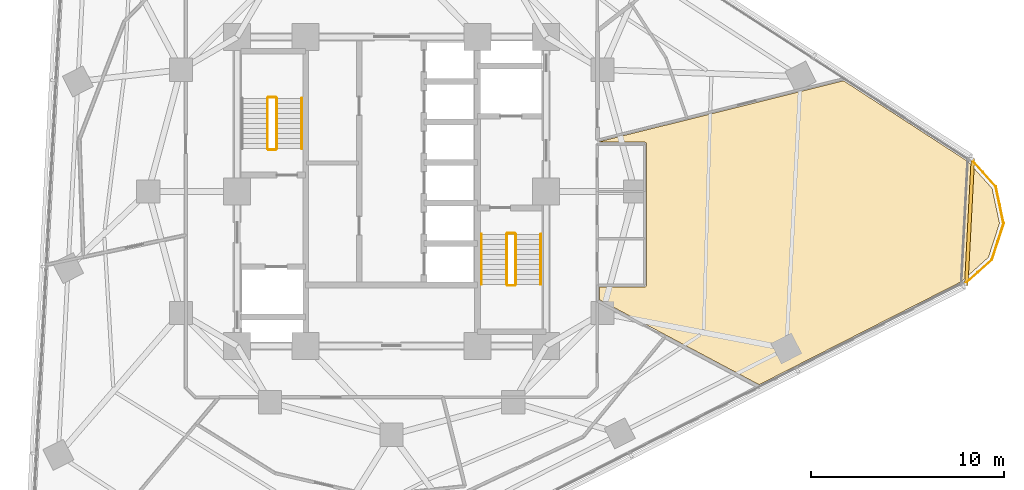
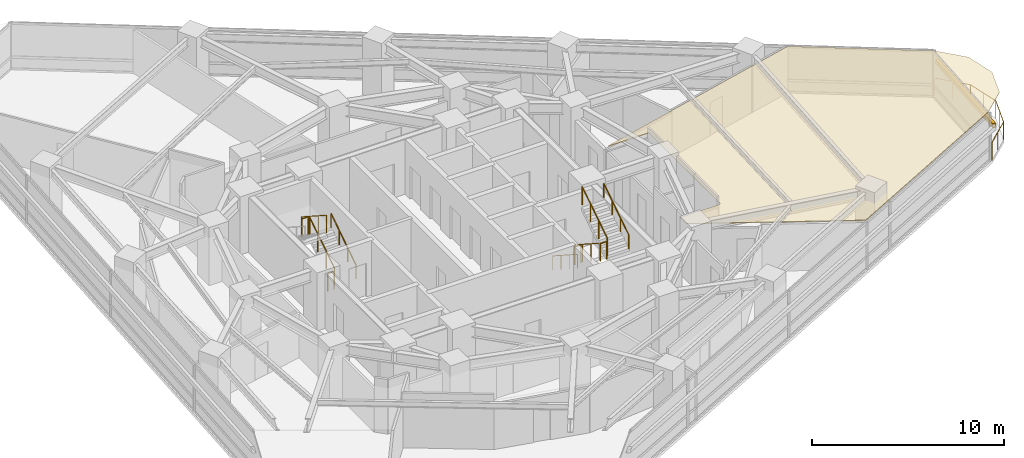
# One storey, part 13 of 14: 12 railings, 1 covering, 1 shading device.
"""IFC4 building model written with IfcOpenShell, lengths in metres."""

from ifc_helpers import new_model, si_unit, direction, frame, origin, origin_2d, place, context, subcontext, project, spatial, polyline, rectangle, circle, outline, extrude, material, layer, layer_set, type_object, element, save


model = new_model("IFC4")

# Units and contexts
model_context = context("Model", 3, precision=1e-05, world=origin(), true_north=direction((0.0, 1.0)))
body_context = subcontext(model_context, "Body", "Model", "MODEL_VIEW")
ifc_project = project(units=[si_unit("LENGTHUNIT", "METRE"), si_unit("AREAUNIT", "SQUARE_METRE"), si_unit("VOLUMEUNIT", "CUBIC_METRE"), si_unit("PLANEANGLEUNIT", "RADIAN"), si_unit("MASSUNIT", "GRAM", prefix="KILO")], contexts=[model_context])

# Site, building, storey
site_placement = place(None, origin())
site = spatial("IfcSite", under=ifc_project, at=site_placement, CompositionType="ELEMENT")
building_placement = place(site_placement, origin())
building = spatial("IfcBuilding", under=site, at=building_placement, Name="Terralouvre Media Tower", CompositionType="ELEMENT")
storey_placement = place(building_placement, frame((0.0, 0.0, 123.60009765625)))
storey = spatial("IfcBuildingStorey", under=building, at=storey_placement, Name="L31", CompositionType="ELEMENT", Elevation=123.60009765625)

# Covering
ifc_material_1 = material(Name="Perforated aluminium acoustic ceiling baffle", Category="aluminium")
ifc_layer_1 = layer(ifc_material_1, 0.0400390625, Name="Perforated Acoustic Metal Tile Ceiling CL-AC1")
ifc_layer_set_1 = layer_set([ifc_layer_1], Name="Perforated aluminium acoustic ceiling baffle")
covering_type = type_object("IfcCoveringType", Name="Perforated Acoustic Metal Tile Ceiling CL-AC1", PredefinedType="CEILING", material=ifc_layer_set_1)
covering_placement = place(storey_placement, frame((0.0, 0.0, 2.97998046875), z_axis=(0.0, 0.0, 1.0), x_axis=(0.891006524188, 0.45399049974, 0.0)))
element("IfcCovering", 1, at=covering_placement, inside=storey, type_object=covering_type, Name="L31 Event Planning Conference Room 6 Acoustic Ceiling", PredefinedType="CEILING", context=body_context, shape_type="SweptSolid", body=[
    extrude(outline(polyline([(10.748291015625, -2.58447265625), (10.736083984375, -2.6083984375), (12.829833984375, -3.67529296875), (12.83837890625, -3.68017578125), (12.846435546875, -3.685791015625), (12.853759765625, -3.692138671875), (12.860595703125, -3.699462890625), (12.866455078125, -3.70703125), (12.871826171875, -3.715576171875), (12.8759765625, -3.72412109375), (12.879638671875, -3.7333984375), (12.882080078125, -3.742919921875), (12.8837890625, -3.75244140625), (12.884521484375, -3.762451171875), (12.88427734375, -3.772216796875), (12.8828125, -3.781982421875), (12.880615234375, -3.79150390625), (12.877685546875, -3.80078125), (12.87353515625, -3.809814453125), (9.559326171875, -10.31396484375), (9.554443359375, -10.322509765625), (9.548828125, -10.33056640625), (9.54248046875, -10.337890625), (9.53515625, -10.3447265625), (9.527587890625, -10.3505859375), (9.51904296875, -10.35595703125), (9.510498046875, -10.3603515625), (9.501220703125, -10.36376953125), (9.49169921875, -10.3662109375), (9.482177734375, -10.367919921875), (9.47216796875, -10.36865234375), (9.46240234375, -10.368408203125), (9.45263671875, -10.3671875), (9.443115234375, -10.364990234375), (9.433837890625, -10.36181640625), (9.425048828125, -10.357666015625), (7.3310546875, -9.290771484375), (7.03466796875, -9.87255859375), (9.265380859375, -13.058349609375), (12.412109375, -17.552490234375), (24.1708984375, -17.55224609375), (25.986083984375, -17.06494140625), (27.29345703125, -15.758056640625), (27.7724609375, -13.972412109375), (27.28515625, -12.156982421875), (23.452392578125, -5.51708984375), (15.330810546875, -3.641845703125), (10.748291015625, -2.58447265625)])), origin(), (0.0, 0.0, 1.0), 0.0400390625),
])

# Railings
ifc_material_2 = material(Name="Stainless steel 316 handrail and balustrade", Category="steel")
ifc_layer_2 = layer(ifc_material_2, 0.06005859375, Name="Roof Edge Safety Guardrail GR-ROOF1")
ifc_layer_set_2 = layer_set([ifc_layer_2], Name="Stainless steel 316 handrail and balustrade")
railing_type_1 = type_object("IfcRailingType", Name="Roof Edge Safety Guardrail GR-ROOF1", PredefinedType="GUARDRAIL", material=ifc_layer_set_2)
railing_1_placement = place(storey_placement, frame((29.61572265625, -4.845947265625, 0.0)))
element("IfcRailing", 2, at=railing_1_placement, inside=storey, type_object=railing_type_1, Name="L31 Wind-Corner Perimeter Safety Guardrail C1", PredefinedType="GUARDRAIL", context=body_context, shape_type="SweptSolid", body=[
    extrude(circle(Radius=0.02099609375, at=origin_2d()), frame((0.0, 0.0, 1.12890625), z_axis=(0.743312666239, 0.668944153281, 0.0), x_axis=(-0.668944153281, 0.743312666239, 0.0)), (0.0, 0.0, 1.0), 1.96630859375),
    extrude(circle(Radius=0.02099609375, at=origin_2d()), frame((1.461669921875, 1.3154296875, 1.12890625), z_axis=(0.309178723202, 0.95100395221, 0.0), x_axis=(-0.95100395221, 0.309178723202, 0.0)), (0.0, 0.0, 1.0), 1.96630859375),
    extrude(circle(Radius=0.02099609375, at=origin_2d()), frame((2.069580078125, 3.185302734375, 1.12890625), z_axis=(-0.207968640809, 0.978135493907, 0.0), x_axis=(-0.978135493907, -0.207968640809, 0.0)), (0.0, 0.0, 1.0), 1.96630859375),
    extrude(circle(Radius=0.02099609375, at=origin_2d()), frame((1.66064453125, 5.108642578125, 1.12890625), z_axis=(-0.669335064293, 0.742960679786, 0.0), x_axis=(-0.742960679786, -0.669335064293, 0.0)), (0.0, 0.0, 1.0), 1.96630859375),
    extrude(circle(Radius=0.01904296875, at=origin_2d()), origin(), (0.0, 0.0, 1.0), 1.10791015625),
    extrude(circle(Radius=0.01904296875, at=origin_2d()), frame((0.73095703125, 0.65771484375, 0.0)), (0.0, 0.0, 1.0), 1.10791015625),
    extrude(circle(Radius=0.01904296875, at=origin_2d()), frame((1.461669921875, 1.3154296875, 0.0)), (0.0, 0.0, 1.0), 1.10791015625),
    extrude(circle(Radius=0.01904296875, at=origin_2d()), frame((1.765625, 2.25048828125, 0.0)), (0.0, 0.0, 1.0), 1.10791015625),
    extrude(circle(Radius=0.01904296875, at=origin_2d()), frame((2.069580078125, 3.185302734375, 0.0)), (0.0, 0.0, 1.0), 1.10791015625),
    extrude(circle(Radius=0.01904296875, at=origin_2d()), frame((1.865234375, 4.14697265625, 0.0)), (0.0, 0.0, 1.0), 1.10791015625),
    extrude(circle(Radius=0.01904296875, at=origin_2d()), frame((1.66064453125, 5.108642578125, 0.0)), (0.0, 0.0, 1.0), 1.10791015625),
    extrude(circle(Radius=0.01904296875, at=origin_2d()), frame((1.00244140625, 5.839111328125, 0.0)), (0.0, 0.0, 1.0), 1.10791015625),
    extrude(circle(Radius=0.01904296875, at=origin_2d()), frame((0.344482421875, 6.569580078125, 0.0)), (0.0, 0.0, 1.0), 1.10791015625),
])
ifc_material_3 = material(Name="Stainless steel 316 handrail and balustrade", Category="steel")
ifc_layer_3 = layer(ifc_material_3, 0.050048828125, Name="Stair Flight Wall Handrail HR-INT1")
ifc_layer_set_3 = layer_set([ifc_layer_3], Name="Stainless steel 316 handrail and balustrade")
railing_type_2 = type_object("IfcRailingType", Name="Stair Flight Wall Handrail HR-INT1", PredefinedType="HANDRAIL", material=ifc_layer_set_3)
railing_2_placement = place(storey_placement, frame((-4.64990234375, 2.219970703125, 0.16796875)))
element("IfcRailing", 3, at=railing_2_placement, inside=storey, type_object=railing_type_2, Name="L31 ST-01 stair handrail 1", PredefinedType="HANDRAIL", context=body_context, shape_type="SweptSolid", body=[
    extrude(circle(Radius=0.02392578125, at=origin_2d()), frame((0.0, 0.0, 0.8759765625), z_axis=(0.0, 0.839648411786, 0.543130320075), x_axis=(-1.0, 0.0, 0.0)), (0.0, 0.0, 1.0), 3.0966796875),
    extrude(circle(Radius=0.02099609375, at=origin_2d()), origin(), (0.0, 0.0, 1.0), 0.851806640625),
    extrude(circle(Radius=0.02099609375, at=origin_2d()), frame((0.0, 0.86669921875, 0.560546875)), (0.0, 0.0, 1.0), 0.851806640625),
    extrude(circle(Radius=0.02099609375, at=origin_2d()), frame((0.0, 1.7333984375, 1.121337890625)), (0.0, 0.0, 1.0), 0.851806640625),
    extrude(circle(Radius=0.02099609375, at=origin_2d()), frame((0.0, 2.60009765625, 1.681884765625)), (0.0, 0.0, 1.0), 0.851806640625),
])
railing_3_placement = place(storey_placement, frame((4.64990234375, -2.219970703125, 0.16796875)))
element("IfcRailing", 4, at=railing_3_placement, inside=storey, type_object=railing_type_2, Name="L31 ST-02 stair handrail 1", PredefinedType="HANDRAIL", context=body_context, shape_type="SweptSolid", body=[
    extrude(circle(Radius=0.02392578125, at=origin_2d()), frame((0.0, 0.0, 0.8759765625), z_axis=(0.0, -0.839648411786, 0.543130320075), x_axis=(1.0, 0.0, 0.0)), (0.0, 0.0, 1.0), 3.0966796875),
    extrude(circle(Radius=0.02099609375, at=origin_2d()), origin(), (0.0, 0.0, 1.0), 0.851806640625),
    extrude(circle(Radius=0.02099609375, at=origin_2d()), frame((0.0, -0.86669921875, 0.560546875)), (0.0, 0.0, 1.0), 0.851806640625),
    extrude(circle(Radius=0.02099609375, at=origin_2d()), frame((0.0, -1.7333984375, 1.121337890625)), (0.0, 0.0, 1.0), 0.851806640625),
    extrude(circle(Radius=0.02099609375, at=origin_2d()), frame((0.0, -2.60009765625, 1.681884765625)), (0.0, 0.0, 1.0), 0.851806640625),
])
railing_4_placement = place(storey_placement, frame((7.72998046875, -4.820068359375, 2.01806640625)))
element("IfcRailing", 5, at=railing_4_placement, inside=storey, type_object=railing_type_2, Name="L31 ST-02 stair handrail 2", PredefinedType="HANDRAIL", context=body_context, shape_type="SweptSolid", body=[
    extrude(circle(Radius=0.02392578125, at=origin_2d()), frame((0.0, 0.0, 0.8759765625), z_axis=(0.0, 0.839648411786, 0.543130320075), x_axis=(-1.0, 0.0, 0.0)), (0.0, 0.0, 1.0), 3.0966796875),
    extrude(circle(Radius=0.02099609375, at=origin_2d()), origin(), (0.0, 0.0, 1.0), 0.851806640625),
    extrude(circle(Radius=0.02099609375, at=origin_2d()), frame((0.0, 0.86669921875, 0.560546875)), (0.0, 0.0, 1.0), 0.851806640625),
    extrude(circle(Radius=0.02099609375, at=origin_2d()), frame((0.0, 1.7333984375, 1.121337890625)), (0.0, 0.0, 1.0), 0.851806640625),
    extrude(circle(Radius=0.02099609375, at=origin_2d()), frame((0.0, 2.60009765625, 1.681884765625)), (0.0, 0.0, 1.0), 0.851806640625),
])
ifc_material_4 = material(Name="Stainless steel 316 handrail and balustrade", Category="steel")
ifc_layer_4 = layer(ifc_material_4, 0.050048828125, Name="Stairwell Safety Guardrail GR-INT1")
ifc_layer_set_4 = layer_set([ifc_layer_4], Name="Stainless steel 316 handrail and balustrade")
railing_type_3 = type_object("IfcRailingType", Name="Stairwell Safety Guardrail GR-INT1", PredefinedType="GUARDRAIL", material=ifc_layer_set_4)
railing_5_placement = place(storey_placement, frame((-5.949951171875, 2.219970703125, 0.16796875)))
element("IfcRailing", 6, at=railing_5_placement, inside=storey, type_object=railing_type_3, Name="L31 ST-01 stair guard 1", PredefinedType="GUARDRAIL", context=body_context, shape_type="SweptSolid", body=[
    extrude(circle(Radius=0.02392578125, at=origin_2d()), frame((0.0, 0.0, 1.1259765625), z_axis=(0.0, 0.839648411786, 0.543130320075), x_axis=(-1.0, 0.0, 0.0)), (0.0, 0.0, 1.0), 3.0966796875),
    extrude(circle(Radius=0.02099609375, at=origin_2d()), origin(), (0.0, 0.0, 1.0), 1.101806640625),
    extrude(circle(Radius=0.02099609375, at=origin_2d()), frame((0.0, 0.86669921875, 0.560546875)), (0.0, 0.0, 1.0), 1.101806640625),
    extrude(circle(Radius=0.02099609375, at=origin_2d()), frame((0.0, 1.7333984375, 1.121337890625)), (0.0, 0.0, 1.0), 1.101806640625),
    extrude(circle(Radius=0.02099609375, at=origin_2d()), frame((0.0, 2.60009765625, 1.681884765625)), (0.0, 0.0, 1.0), 1.101806640625),
])
railing_6_placement = place(storey_placement, frame((-6.0, 4.8701171875, 1.849853515625)))
element("IfcRailing", 7, at=railing_6_placement, inside=storey, type_object=railing_type_3, Name="L31 ST-01 stair guard 2", PredefinedType="GUARDRAIL", context=body_context, shape_type="SweptSolid", body=[
    extrude(circle(Radius=0.02392578125, at=origin_2d()), frame((0.0, 0.0, 1.1259765625), z_axis=(-1.0, 0.0, 0.0), x_axis=(0.0, -1.0, 0.0)), (0.0, 0.0, 1.0), 0.3798828125),
    extrude(circle(Radius=0.02099609375, at=origin_2d()), origin(), (0.0, 0.0, 1.0), 1.101806640625),
    extrude(circle(Radius=0.02099609375, at=origin_2d()), frame((-0.3798828125, 0.0, 0.0)), (0.0, 0.0, 1.0), 1.101806640625),
])
railing_7_placement = place(storey_placement, frame((-6.429931640625, 4.820068359375, 2.01806640625)))
element("IfcRailing", 8, at=railing_7_placement, inside=storey, type_object=railing_type_3, Name="L31 ST-01 stair guard 3", PredefinedType="GUARDRAIL", context=body_context, shape_type="SweptSolid", body=[
    extrude(circle(Radius=0.02392578125, at=origin_2d()), frame((0.0, 0.0, 1.1259765625), z_axis=(0.0, -0.839648411786, 0.543130320075), x_axis=(1.0, 0.0, 0.0)), (0.0, 0.0, 1.0), 3.0966796875),
    extrude(circle(Radius=0.02099609375, at=origin_2d()), origin(), (0.0, 0.0, 1.0), 1.101806640625),
    extrude(circle(Radius=0.02099609375, at=origin_2d()), frame((0.0, -0.86669921875, 0.560546875)), (0.0, 0.0, 1.0), 1.101806640625),
    extrude(circle(Radius=0.02099609375, at=origin_2d()), frame((0.0, -1.7333984375, 1.121337890625)), (0.0, 0.0, 1.0), 1.101806640625),
    extrude(circle(Radius=0.02099609375, at=origin_2d()), frame((0.0, -2.60009765625, 1.681884765625)), (0.0, 0.0, 1.0), 1.101806640625),
])
railing_8_placement = place(storey_placement, frame((-6.0, 2.169921875, 0.0)))
element("IfcRailing", 9, at=railing_8_placement, inside=storey, type_object=railing_type_3, Name="L31 ST-01 stair guard 4", PredefinedType="GUARDRAIL", context=body_context, shape_type="SweptSolid", body=[
    extrude(circle(Radius=0.02392578125, at=origin_2d()), frame((0.0, 0.0, 1.1259765625), z_axis=(-1.0, 0.0, 0.0), x_axis=(0.0, -1.0, 0.0)), (0.0, 0.0, 1.0), 0.3798828125),
    extrude(circle(Radius=0.02099609375, at=origin_2d()), origin(), (0.0, 0.0, 1.0), 1.101806640625),
    extrude(circle(Radius=0.02099609375, at=origin_2d()), frame((-0.3798828125, 0.0, 0.0)), (0.0, 0.0, 1.0), 1.101806640625),
])
railing_9_placement = place(storey_placement, frame((5.949951171875, -2.219970703125, 0.16796875)))
element("IfcRailing", 10, at=railing_9_placement, inside=storey, type_object=railing_type_3, Name="L31 ST-02 stair guard 1", PredefinedType="GUARDRAIL", context=body_context, shape_type="SweptSolid", body=[
    extrude(circle(Radius=0.02392578125, at=origin_2d()), frame((0.0, 0.0, 1.1259765625), z_axis=(0.0, -0.839648411786, 0.543130320075), x_axis=(1.0, 0.0, 0.0)), (0.0, 0.0, 1.0), 3.0966796875),
    extrude(circle(Radius=0.02099609375, at=origin_2d()), origin(), (0.0, 0.0, 1.0), 1.101806640625),
    extrude(circle(Radius=0.02099609375, at=origin_2d()), frame((0.0, -0.86669921875, 0.560546875)), (0.0, 0.0, 1.0), 1.101806640625),
    extrude(circle(Radius=0.02099609375, at=origin_2d()), frame((0.0, -1.7333984375, 1.121337890625)), (0.0, 0.0, 1.0), 1.101806640625),
    extrude(circle(Radius=0.02099609375, at=origin_2d()), frame((0.0, -2.60009765625, 1.681884765625)), (0.0, 0.0, 1.0), 1.101806640625),
])
railing_10_placement = place(storey_placement, frame((6.0, -4.8701171875, 1.849853515625)))
element("IfcRailing", 11, at=railing_10_placement, inside=storey, type_object=railing_type_3, Name="L31 ST-02 stair guard 2", PredefinedType="GUARDRAIL", context=body_context, shape_type="SweptSolid", body=[
    extrude(circle(Radius=0.02392578125, at=origin_2d()), frame((0.0, 0.0, 1.1259765625), z_axis=(1.0, 0.0, 0.0), x_axis=(0.0, 1.0, 0.0)), (0.0, 0.0, 1.0), 0.3798828125),
    extrude(circle(Radius=0.02099609375, at=origin_2d()), origin(), (0.0, 0.0, 1.0), 1.101806640625),
    extrude(circle(Radius=0.02099609375, at=origin_2d()), frame((0.3798828125, 0.0, 0.0)), (0.0, 0.0, 1.0), 1.101806640625),
])
railing_11_placement = place(storey_placement, frame((6.429931640625, -4.820068359375, 2.01806640625)))
element("IfcRailing", 12, at=railing_11_placement, inside=storey, type_object=railing_type_3, Name="L31 ST-02 stair guard 3", PredefinedType="GUARDRAIL", context=body_context, shape_type="SweptSolid", body=[
    extrude(circle(Radius=0.02392578125, at=origin_2d()), frame((0.0, 0.0, 1.1259765625), z_axis=(0.0, 0.839648411786, 0.543130320075), x_axis=(-1.0, 0.0, 0.0)), (0.0, 0.0, 1.0), 3.0966796875),
    extrude(circle(Radius=0.02099609375, at=origin_2d()), origin(), (0.0, 0.0, 1.0), 1.101806640625),
    extrude(circle(Radius=0.02099609375, at=origin_2d()), frame((0.0, 0.86669921875, 0.560546875)), (0.0, 0.0, 1.0), 1.101806640625),
    extrude(circle(Radius=0.02099609375, at=origin_2d()), frame((0.0, 1.7333984375, 1.121337890625)), (0.0, 0.0, 1.0), 1.101806640625),
    extrude(circle(Radius=0.02099609375, at=origin_2d()), frame((0.0, 2.60009765625, 1.681884765625)), (0.0, 0.0, 1.0), 1.101806640625),
])
railing_12_placement = place(storey_placement, frame((6.0, -2.169921875, 0.0)))
element("IfcRailing", 13, at=railing_12_placement, inside=storey, type_object=railing_type_3, Name="L31 ST-02 stair guard 4", PredefinedType="GUARDRAIL", context=body_context, shape_type="SweptSolid", body=[
    extrude(circle(Radius=0.02392578125, at=origin_2d()), frame((0.0, 0.0, 1.1259765625), z_axis=(1.0, 0.0, 0.0), x_axis=(0.0, 1.0, 0.0)), (0.0, 0.0, 1.0), 0.3798828125),
    extrude(circle(Radius=0.02099609375, at=origin_2d()), origin(), (0.0, 0.0, 1.0), 1.101806640625),
    extrude(circle(Radius=0.02099609375, at=origin_2d()), frame((0.3798828125, 0.0, 0.0)), (0.0, 0.0, 1.0), 1.101806640625),
])

# Shading device
ifc_material_5 = material(Name="Extruded terracotta baguette sunshade louvres", Category="masonry")
shading_device_type = type_object("IfcShadingDeviceType", Name="Terracotta Baguette Sunshade Louvre Screen TB-LV1", PredefinedType="USERDEFINED", material=ifc_material_5)
shading_device_placement = place(storey_placement, frame((29.922607421875, -1.568115234375, 2.02392578125), z_axis=(0.0, 0.0, 1.0), x_axis=(0.052336823006, 0.998629489329, 0.0)))
element("IfcShadingDevice", 14, at=shading_device_placement, inside=storey, type_object=shading_device_type, Name="CW-L31-C1 Terracotta Baguette Sunshade Louvre", ObjectType="BAGUETTE", PredefinedType="USERDEFINED", context=body_context, shape_type="SweptSolid", body=[
    extrude(rectangle(XDim=6.581787109375, YDim=0.179931640625, at=origin_2d()), origin(), (0.0, 0.0, 1.0), 0.280029296875),
])

save(model, "model.ifc")
